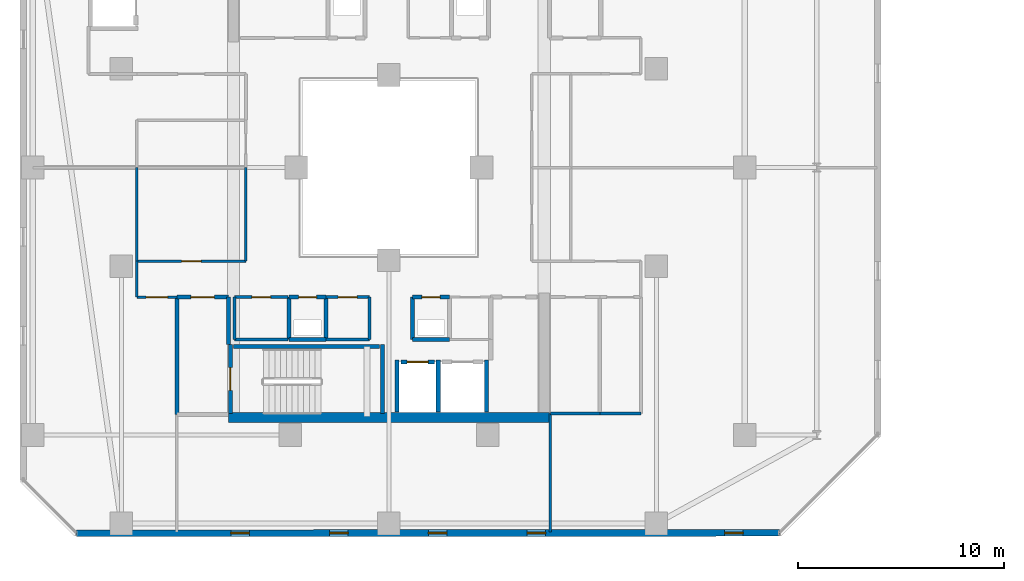
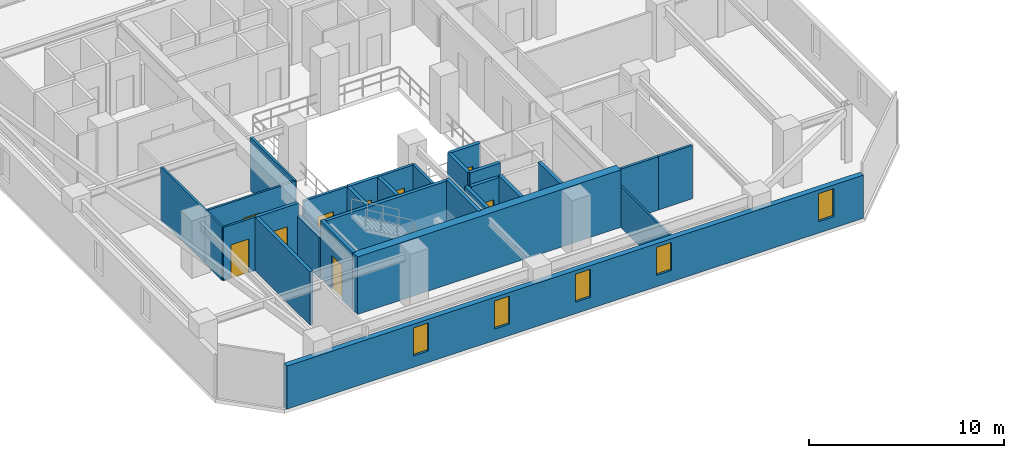
# One storey, part 19 of 33: 33 walls, 9 doors, 5 windows, 14 openings.
"""IFC4 building model written with IfcOpenShell, lengths in metres."""

import ifcopenshell
import ifcopenshell.guid

model = None  # the IFC model being written
_history = None  # IfcOwnerHistory: only IFC2X3 demands one
_inside = {}  # id of a spatial element -> (the spatial element, [elements in it])
_under = {}  # id of a project, library or spatial element -> (it, [spatial elements below it])
_declared = {}  # id of a project -> (the project, [libraries it declares])
_typed = {}  # id of a type object -> (the type object, [elements of that type])
_made_of = {}  # id of a material, layer set ... -> (it, [elements and type objects made of it])


def new_model(schema):
    """Start an empty IFC model of exactly this schema.

    Asked for "IFC4X3", IfcOpenShell would pick the latest addendum, in which some entities
    have other attributes; the version numbers below select the first issue.
    IFC2X3 requires an IfcOwnerHistory on every rooted entity: one is made here for all.
    """
    global model, _history
    if schema == "IFC4X3":
        model = ifcopenshell.file(schema_version=(4, 3, 0, 0))
    else:
        model = ifcopenshell.file(schema=schema)
    _inside.clear()
    _under.clear()
    _declared.clear()
    _typed.clear()
    _made_of.clear()
    _history = None
    if model.schema == "IFC2X3":
        org = make("IfcOrganization", Name="unknown")
        user = make(
            "IfcPersonAndOrganization",
            ThePerson=make("IfcPerson", FamilyName="unknown"),
            TheOrganization=org,
        )
        app = make(
            "IfcApplication",
            ApplicationDeveloper=org,
            Version="unknown",
            ApplicationFullName="unknown",
            ApplicationIdentifier="unknown",
        )
        _history = make(
            "IfcOwnerHistory",
            OwningUser=user,
            OwningApplication=app,
            ChangeAction="ADDED",
            CreationDate=0,
        )
    return model


def make(cls, **values):
    """One entity of the class cls with the attributes given. An attribute that is None is left unset."""
    return model.create_entity(
        cls, **{name: value for name, value in values.items() if value is not None}
    )


def rooted(cls, **values):
    """An entity with a GlobalId (a new one), such as an element, a storey or a relation."""
    return make(cls, GlobalId=ifcopenshell.guid.new(), OwnerHistory=_history, **values)


def si_unit(unit_type, name, prefix=None):
    """IfcSIUnit, for example si_unit("LENGTHUNIT", "METRE", prefix="MILLI")."""
    return make("IfcSIUnit", UnitType=unit_type, Prefix=prefix, Name=name)


def assignment(units):
    """IfcUnitAssignment: the units of a project."""
    return None if units is None else make("IfcUnitAssignment", Units=units)


def point(xyz):
    """IfcCartesianPoint."""
    return None if xyz is None else make("IfcCartesianPoint", Coordinates=xyz)


def direction(xyz):
    """IfcDirection."""
    return None if xyz is None else make("IfcDirection", DirectionRatios=xyz)


def frame(location, z_axis=None, x_axis=None):
    """IfcAxis2Placement3D, a coordinate frame: its origin and axes. An axis left out is left unset."""
    return make(
        "IfcAxis2Placement3D",
        Location=point(location),
        Axis=direction(z_axis),
        RefDirection=direction(x_axis),
    )


def frame_2d(location, x_axis=None):
    """IfcAxis2Placement2D, a coordinate frame in the plane: its origin and x axis."""
    return make(
        "IfcAxis2Placement2D", Location=point(location), RefDirection=direction(x_axis)
    )


def origin():
    """The frame at (0, 0, 0) with its axes left unset."""
    return frame((0.0, 0.0, 0.0))


def place(relative_to, where):
    """IfcLocalPlacement: puts the frame where relative to a parent placement (None: the world)."""
    return make(
        "IfcLocalPlacement", PlacementRelTo=relative_to, RelativePlacement=where
    )


def context(
    kind, dimensions, precision=None, world=None, true_north=None, identifier=None
):
    """IfcGeometricRepresentationContext, for example the 3D "Model" context."""
    return make(
        "IfcGeometricRepresentationContext",
        ContextIdentifier=identifier,
        ContextType=kind,
        CoordinateSpaceDimension=dimensions,
        Precision=precision,
        WorldCoordinateSystem=world,
        TrueNorth=true_north,
    )


def subcontext(parent, identifier, kind, view, scale=None):
    """IfcGeometricRepresentationSubContext, for example "Body" below "Model"."""
    return make(
        "IfcGeometricRepresentationSubContext",
        ContextIdentifier=identifier,
        ContextType=kind,
        ParentContext=parent,
        TargetScale=scale,
        TargetView=view,
    )


def project(units=None, contexts=None):
    """IfcProject with its units and contexts."""
    return rooted(
        "IfcProject",
        Name="project",
        RepresentationContexts=contexts,
        UnitsInContext=assignment(units),
    )


def spatial(cls, under=None, at=None, **own):
    """A site, building, storey or space (cls), placed at a placement, below another one or the project."""
    s = rooted(cls, ObjectPlacement=at, **own)
    if under is not None:
        _under.setdefault(under.id(), (under, []))[1].append(s)
    return s


def profile(cls, at=None, kind="AREA", **sizes):
    """A parametric profile (cls). Its sizes go by their IFC names, for example OverallWidth=200.0."""
    return make(cls, ProfileType=kind, Position=at, **sizes)


def rectangle(**sizes):
    """IfcRectangleProfileDef."""
    return profile("IfcRectangleProfileDef", **sizes)


def extrude(swept, where, along, depth):
    """IfcExtrudedAreaSolid: the profile swept, set in the frame where, extruded along a direction by depth."""
    return make(
        "IfcExtrudedAreaSolid",
        SweptArea=swept,
        Position=where,
        ExtrudedDirection=direction(along),
        Depth=depth,
    )


def shape(context_of_items, identifier, shape_type, items):
    """IfcShapeRepresentation: the items that make up one representation, for example the "Body"."""
    return make(
        "IfcShapeRepresentation",
        ContextOfItems=context_of_items,
        RepresentationIdentifier=identifier,
        RepresentationType=shape_type,
        Items=items,
    )


def material(Name=None, Category=None):
    """IfcMaterial."""
    return make("IfcMaterial", Name=Name, Category=Category)


def layer(
    of_material, thickness, ventilated=None, Name=None, Category=None, Priority=None
):
    """IfcMaterialLayer: one layer of a wall or slab, of a material (None: an air gap)."""
    return make(
        "IfcMaterialLayer",
        Material=of_material,
        LayerThickness=thickness,
        IsVentilated=ventilated,
        Name=Name,
        Category=Category,
        Priority=Priority,
    )


def layer_set(layers, Name=None):
    """IfcMaterialLayerSet."""
    return make("IfcMaterialLayerSet", MaterialLayers=layers, LayerSetName=Name)


def made_of(thing, what):
    """Note that an element or type object is made of a material, layer set ...; save() writes the relation."""
    if what is not None:
        _made_of.setdefault(what.id(), (what, []))[1].append(thing)
    return thing


def type_object(cls, material=None, **own):
    """A type object (cls), such as IfcWallType, which elements share."""
    return made_of(rooted(cls, **own), material)


def element(
    cls,
    number,
    at=None,
    inside=None,
    cuts=None,
    type_object=None,
    material=None,
    context=None,
    identifier="Body",
    shape_type=None,
    held_by="IfcProductDefinitionShape",
    body=None,
    shapes=None,
    **own,
):
    """One element of the class cls, such as IfcWall. Its Tag is "e" and its number.

    at: its placement. inside: the storey or other place that contains it. cuts: it is an
    opening in that element (IfcRelVoidsElement). A single representation is given by context,
    identifier, shape_type and body (its items); several are given by shapes. held_by: the class
    of the entity that holds the representations. save() writes the other relations.
    """
    e = rooted(cls, Tag="e%d" % number, ObjectPlacement=at, **own)
    if body is not None:
        shapes = [shape(context, identifier, shape_type, body)]
    if shapes is not None:
        e.Representation = make(held_by, Representations=shapes)
    if inside is not None:
        _inside.setdefault(inside.id(), (inside, []))[1].append(e)
    if cuts is not None:
        rooted(
            "IfcRelVoidsElement", RelatingBuildingElement=cuts, RelatedOpeningElement=e
        )
    if type_object is not None:
        _typed.setdefault(type_object.id(), (type_object, []))[1].append(e)
    return made_of(e, material)


def fill(opening, filler):
    """IfcRelFillsElement: the door or window that sits in an opening."""
    return rooted(
        "IfcRelFillsElement",
        RelatingOpeningElement=opening,
        RelatedBuildingElement=filler,
    )


def aggregate(whole, parts):
    """IfcRelAggregates: a whole, such as a stair, and the parts it consists of."""
    return rooted("IfcRelAggregates", RelatingObject=whole, RelatedObjects=parts)


def save(model, path):
    """Write the relations noted so far, then the file.

    IfcRelAggregates (storeys below a building ...), IfcRelContainedInSpatialStructure (elements
    in a storey), IfcRelDefinesByType, IfcRelAssociatesMaterial and IfcRelDeclares: one each for
    every whole, place, type object, material and project.
    """
    for whole, parts in _under.values():
        aggregate(whole, parts)
    for where, things in _inside.values():
        rooted(
            "IfcRelContainedInSpatialStructure",
            RelatedElements=things,
            RelatingStructure=where,
        )
    for kind, things in _typed.values():
        rooted("IfcRelDefinesByType", RelatedObjects=things, RelatingType=kind)
    for what, things in _made_of.values():
        rooted("IfcRelAssociatesMaterial", RelatedObjects=things, RelatingMaterial=what)
    for by, libraries in _declared.values():
        rooted("IfcRelDeclares", RelatingContext=by, RelatedDefinitions=libraries)
    model.write(path)


model = new_model("IFC4")

# Units and contexts
model_context = context("Model", 3, precision=1e-05, world=origin(), true_north=direction((0.0, 1.0)))
body_context = subcontext(model_context, "Body", "Model", "MODEL_VIEW")
ifc_project = project(units=[si_unit("LENGTHUNIT", "METRE"), si_unit("AREAUNIT", "SQUARE_METRE"), si_unit("VOLUMEUNIT", "CUBIC_METRE"), si_unit("PLANEANGLEUNIT", "RADIAN"), si_unit("MASSUNIT", "GRAM", prefix="KILO")], contexts=[model_context])

# Site, building, storey
site_placement = place(None, origin())
site = spatial("IfcSite", under=ifc_project, at=site_placement, CompositionType="ELEMENT")
building_placement = place(site_placement, origin())
building = spatial("IfcBuilding", under=site, at=building_placement, Name="Thornwick Lancets Civic Towers", CompositionType="ELEMENT")
storey_placement = place(building_placement, frame((0.0, 0.0, 192.89990234375)))
storey = spatial("IfcBuildingStorey", under=building, at=storey_placement, Name="L51", CompositionType="ELEMENT", Elevation=192.89990234375)

# Wall, opening, door
ifc_material_1 = material(Name="Concrete blockwork C40/50", Category="masonry")
ifc_layer_1 = layer(ifc_material_1, 0.199951171875, Name="Concrete blockwork C40/50")
ifc_layer_set_1 = layer_set([ifc_layer_1], Name="Concrete blockwork C40/50")
wall_type_1 = type_object("IfcWallType", Name="WALL_COMP_200", PredefinedType="STANDARD", material=ifc_layer_set_1)
wall_1_placement = place(storey_placement, frame((26.080078125, 17.550048828125, 0.0), z_axis=(0.0, 0.0, 1.0), x_axis=(1.0, 0.0, 0.0)))
wall_1 = element("IfcWall", 1, at=wall_1_placement, inside=storey, type_object=wall_type_1, Name="L51 Hoistway Front Wall FL-A1", PredefinedType="STANDARD", context=body_context, shape_type="SweptSolid", body=[
    extrude(rectangle(XDim=1.639892578125, YDim=0.199951171875, at=frame_2d((0.81982421875, 0.0))), origin(), (0.0, 0.0, 1.0), 3.340087890625),
])
opening_1_placement = place(wall_1_placement, frame((0.31005859375, 0.0, 0.0)))
opening_1 = element("IfcOpeningElement", 2, at=opening_1_placement, cuts=wall_1, Name="Opening LD-FL-A1", PredefinedType="OPENING", context=body_context, shape_type="SweptSolid", body=[
    extrude(rectangle(XDim=1.02001953125, YDim=2.06005859375, at=frame_2d((0.510009765625, 1.030029296875))), frame((0.0, 0.10986328125, 0.0), z_axis=(0.0, -1.0, 0.0), x_axis=(1.0, 0.0, 0.0)), (0.0, 0.0, 1.0), 0.219970703125),
])
ifc_material_2 = material(Name="Brushed bronze stainless steel", Category="steel")
door_type_1 = type_object("IfcDoorType", Name="DOOR_LIFT_SLIDE", OperationType="SLIDING_TO_LEFT", PredefinedType="DOOR", material=ifc_material_2)
door_1_placement = place(opening_1_placement, origin())
door_1 = element("IfcDoor", 3, at=door_1_placement, inside=storey, type_object=door_type_1, Name="L51 Sliding Lift Landing Door LD-FL-A1", OperationType="SLIDING_TO_LEFT", OverallHeight=2.06005859375, OverallWidth=1.02001953125, PredefinedType="DOOR", context=body_context, shape_type="SweptSolid", body=[
    extrude(rectangle(XDim=1.02001953125, YDim=2.06005859375, at=frame_2d((0.510009765625, 1.030029296875))), frame((0.0, 0.02490234375, 0.0), z_axis=(0.0, -1.0, 0.0), x_axis=(1.0, 0.0, 0.0)), (0.0, 0.0, 1.0), 0.050048828125),
])
fill(opening_1, door_1)

# Walls
for number, where, z_axis, x_axis, name in (
    (4, (27.89990234375, 15.112060546875, 0.0), (0.0, 0.0, 1.0), (0.0, 1.0, 0.0), "L51 Hoistway Shaft Wall FL-A1 E"),
    (5, (25.89990234375, 15.112060546875, 0.0), (0.0, 0.0, 1.0), (0.0, 1.0, 0.0), "L51 Hoistway Shaft Wall FL-A1 W"),
    (6, (30.25, 15.112060546875, 0.0), (0.0, 0.0, 1.0), (0.0, 1.0, 0.0), "L51 Hoistway Shaft Wall PL-AH1 E"),
):
    element("IfcWall", number, at=place(storey_placement, frame(where, z_axis=z_axis, x_axis=x_axis)), inside=storey, type_object=wall_type_1, Name=name, PredefinedType="STANDARD", context=body_context, shape_type="SweptSolid", body=[
        extrude(rectangle(XDim=2.535888671875, YDim=0.199951171875, at=frame_2d((1.26806640625, 0.0))), origin(), (0.0, 0.0, 1.0), 3.340087890625),
    ])
wall_2_placement = place(storey_placement, frame((17.699951171875, 18.39990234375, 0.0), z_axis=(0.0, 0.0, 1.0), x_axis=(0.0, 1.0, 0.0)))
element("IfcWall", 7, at=wall_2_placement, inside=storey, type_object=wall_type_1, Name="L51 Partition L51-A-FFLOB1 E2", PredefinedType="STANDARD", context=body_context, shape_type="SweptSolid", body=[
    extrude(rectangle(XDim=2.300048828125, YDim=0.199951171875, at=frame_2d((1.14990234375, 0.0))), origin(), (0.0, 0.0, 1.0), 2.545166015625),
])

# Wall, opening, door
wall_3_placement = place(storey_placement, frame((17.699951171875, 20.699951171875, 0.0), z_axis=(0.0, 0.0, 1.0), x_axis=(-1.0, 0.0, 0.0)))
wall_3 = element("IfcWall", 8, at=wall_3_placement, inside=storey, type_object=wall_type_1, Name="L51 Partition L51-A-FFLOB1 E3", PredefinedType="STANDARD", context=body_context, shape_type="SweptSolid", body=[
    extrude(rectangle(XDim=2.5, YDim=0.199951171875, at=frame_2d((1.25, 0.0))), origin(), (0.0, 0.0, 1.0), 3.340087890625),
])
opening_2_placement = place(wall_3_placement, frame((0.675048828125, 0.0, 0.0)))
opening_2 = element("IfcOpeningElement", 9, at=opening_2_placement, cuts=wall_3, Name="Opening D-L51-2251", PredefinedType="OPENING", context=body_context, shape_type="SweptSolid", body=[
    extrude(rectangle(XDim=1.14990234375, YDim=2.10009765625, at=frame_2d((0.574951171875, 1.050048828125))), frame((0.0, 0.10986328125, 0.0), z_axis=(0.0, -1.0, 0.0), x_axis=(1.0, 0.0, 0.0)), (0.0, 0.0, 1.0), 0.219970703125),
])
ifc_material_3 = material(Name="Glazed fire-resisting steel", Category="steel")
door_type_2 = type_object("IfcDoorType", Name="DOOR_LOBBY_FD60", OperationType="NOTDEFINED", PredefinedType="DOOR", material=ifc_material_3)
door_2_placement = place(opening_2_placement, origin())
door_2 = element("IfcDoor", 10, at=door_2_placement, inside=storey, type_object=door_type_2, Name="L51 South Firefighting Lobby 1 Door", OperationType="SINGLE_SWING_RIGHT", OverallHeight=2.10009765625, OverallWidth=1.14990234375, PredefinedType="DOOR", context=body_context, shape_type="SweptSolid", body=[
    extrude(rectangle(XDim=1.14990234375, YDim=2.10009765625, at=frame_2d((0.574951171875, 1.050048828125))), frame((0.0, 0.02490234375, 0.0), z_axis=(0.0, -1.0, 0.0), x_axis=(1.0, 0.0, 0.0)), (0.0, 0.0, 1.0), 0.050048828125),
])
fill(opening_2, door_2)

# Walls
wall_4_placement = place(storey_placement, frame((15.199951171875, 20.699951171875, 0.0), z_axis=(0.0, 0.0, 1.0), x_axis=(0.0, -1.0, 0.0)))
element("IfcWall", 11, at=wall_4_placement, inside=storey, type_object=wall_type_1, Name="L51 Partition L51-A-FFLOB1 E4", PredefinedType="STANDARD", context=body_context, shape_type="SweptSolid", body=[
    extrude(rectangle(XDim=5.699951171875, YDim=0.199951171875, at=frame_2d((2.85009765625, 0.0))), origin(), (0.0, 0.0, 1.0), 3.340087890625),
])
wall_5_placement = place(storey_placement, frame((26.64990234375, 18.64990234375, 0.0), z_axis=(0.0, 0.0, 1.0), x_axis=(1.0, 0.0, 0.0)))
element("IfcWall", 12, at=wall_5_placement, inside=storey, type_object=wall_type_1, Name="L51 Partition L51-A-DUCT1 E1", PredefinedType="STANDARD", context=body_context, shape_type="SweptSolid", body=[
    extrude(rectangle(XDim=1.800048828125, YDim=0.199951171875, at=frame_2d((0.89990234375, 0.0))), origin(), (0.0, 0.0, 1.0), 3.340087890625),
])

# Wall, opening, door
wall_6_placement = place(storey_placement, frame((28.449951171875, 20.699951171875, 0.0), z_axis=(0.0, 0.0, 1.0), x_axis=(-1.0, 0.0, 0.0)))
wall_6 = element("IfcWall", 13, at=wall_6_placement, inside=storey, type_object=wall_type_1, Name="L51 Partition L51-A-DUCT1 E3", PredefinedType="STANDARD", context=body_context, shape_type="SweptSolid", body=[
    extrude(rectangle(XDim=1.800048828125, YDim=0.199951171875, at=frame_2d((0.89990234375, 0.0))), origin(), (0.0, 0.0, 1.0), 3.340087890625),
])
opening_3_placement = place(wall_6_placement, frame((0.4599609375, 0.0, 0.0)))
opening_3 = element("IfcOpeningElement", 14, at=opening_3_placement, cuts=wall_6, Name="Opening D-L51-2253", PredefinedType="OPENING", context=body_context, shape_type="SweptSolid", body=[
    extrude(rectangle(XDim=0.8798828125, YDim=2.0400390625, at=frame_2d((0.43994140625, 1.02001953125))), frame((0.0, 0.10986328125, 0.0), z_axis=(0.0, -1.0, 0.0), x_axis=(1.0, 0.0, 0.0)), (0.0, 0.0, 1.0), 0.219970703125),
])
ifc_material_4 = material(Name="Steel riser access doorset", Category="steel")
door_type_3 = type_object("IfcDoorType", Name="DOOR_RISER_850", OperationType="NOTDEFINED", PredefinedType="DOOR", material=ifc_material_4)
door_3_placement = place(opening_3_placement, origin())
door_3 = element("IfcDoor", 15, at=door_3_placement, inside=storey, type_object=door_type_3, Name="L51 South Service Duct 1 Door", OperationType="SINGLE_SWING_RIGHT", OverallHeight=2.0400390625, OverallWidth=0.8798828125, PredefinedType="DOOR", context=body_context, shape_type="SweptSolid", body=[
    extrude(rectangle(XDim=0.8798828125, YDim=2.0400390625, at=frame_2d((0.43994140625, 1.02001953125))), frame((0.0, 0.02490234375, 0.0), z_axis=(0.0, -1.0, 0.0), x_axis=(1.0, 0.0, 0.0)), (0.0, 0.0, 1.0), 0.050048828125),
])
fill(opening_3, door_3)

# Walls
wall_7_placement = place(storey_placement, frame((26.64990234375, 20.699951171875, 0.0), z_axis=(0.0, 0.0, 1.0), x_axis=(0.0, -1.0, 0.0)))
element("IfcWall", 16, at=wall_7_placement, inside=storey, type_object=wall_type_1, Name="L51 Partition L51-A-DUCT1 E4", PredefinedType="STANDARD", context=body_context, shape_type="SweptSolid", body=[
    extrude(rectangle(XDim=2.050048828125, YDim=0.199951171875, at=frame_2d((1.02490234375, 0.0))), origin(), (0.0, 0.0, 1.0), 3.340087890625),
])
wall_8_placement = place(storey_placement, frame((20.64990234375, 18.64990234375, 0.0), z_axis=(0.0, 0.0, 1.0), x_axis=(1.0, 0.0, 0.0)))
element("IfcWall", 17, at=wall_8_placement, inside=storey, type_object=wall_type_1, Name="L51 Partition L51-A-RISER1 E1", PredefinedType="STANDARD", context=body_context, shape_type="SweptSolid", body=[
    extrude(rectangle(XDim=1.800048828125, YDim=0.199951171875, at=frame_2d((0.89990234375, 0.0))), origin(), (0.0, 0.0, 1.0), 3.340087890625),
])
wall_9_placement = place(storey_placement, frame((22.449951171875, 18.64990234375, 0.0), z_axis=(0.0, 0.0, 1.0), x_axis=(0.0, 1.0, 0.0)))
element("IfcWall", 18, at=wall_9_placement, inside=storey, type_object=wall_type_1, Name="L51 Partition L51-A-RISER1 E2", PredefinedType="STANDARD", context=body_context, shape_type="SweptSolid", body=[
    extrude(rectangle(XDim=2.050048828125, YDim=0.199951171875, at=frame_2d((1.02490234375, 0.0))), origin(), (0.0, 0.0, 1.0), 3.340087890625),
])

# Wall, opening, door
wall_10_placement = place(storey_placement, frame((22.449951171875, 20.699951171875, 0.0), z_axis=(0.0, 0.0, 1.0), x_axis=(-1.0, 0.0, 0.0)))
wall_10 = element("IfcWall", 19, at=wall_10_placement, inside=storey, type_object=wall_type_1, Name="L51 Partition L51-A-RISER1 E3", PredefinedType="STANDARD", context=body_context, shape_type="SweptSolid", body=[
    extrude(rectangle(XDim=1.800048828125, YDim=0.199951171875, at=frame_2d((0.89990234375, 0.0))), origin(), (0.0, 0.0, 1.0), 3.340087890625),
])
opening_4_placement = place(wall_10_placement, frame((0.4599609375, 0.0, 0.0)))
opening_4 = element("IfcOpeningElement", 20, at=opening_4_placement, cuts=wall_10, Name="Opening D-L51-2254", PredefinedType="OPENING", context=body_context, shape_type="SweptSolid", body=[
    extrude(rectangle(XDim=0.8798828125, YDim=2.0400390625, at=frame_2d((0.43994140625, 1.02001953125))), frame((0.0, 0.10986328125, 0.0), z_axis=(0.0, -1.0, 0.0), x_axis=(1.0, 0.0, 0.0)), (0.0, 0.0, 1.0), 0.219970703125),
])
door_4_placement = place(opening_4_placement, origin())
door_4 = element("IfcDoor", 21, at=door_4_placement, inside=storey, type_object=door_type_3, Name="L51 South Electrical Riser 1 Door", OperationType="SINGLE_SWING_LEFT", OverallHeight=2.0400390625, OverallWidth=0.8798828125, PredefinedType="DOOR", context=body_context, shape_type="SweptSolid", body=[
    extrude(rectangle(XDim=0.8798828125, YDim=2.0400390625, at=frame_2d((0.43994140625, 1.02001953125))), frame((0.0, 0.02490234375, 0.0), z_axis=(0.0, -1.0, 0.0), x_axis=(1.0, 0.0, 0.0)), (0.0, 0.0, 1.0), 0.050048828125),
])
fill(opening_4, door_4)

# Walls
wall_11_placement = place(storey_placement, frame((20.64990234375, 20.699951171875, 0.0), z_axis=(0.0, 0.0, 1.0), x_axis=(0.0, -1.0, 0.0)))
element("IfcWall", 22, at=wall_11_placement, inside=storey, type_object=wall_type_1, Name="L51 Partition L51-A-RISER1 E4", PredefinedType="STANDARD", context=body_context, shape_type="SweptSolid", body=[
    extrude(rectangle(XDim=2.050048828125, YDim=0.199951171875, at=frame_2d((1.02490234375, 0.0))), origin(), (0.0, 0.0, 1.0), 3.340087890625),
])
ifc_material_5 = material(Name="Concrete C50/60", Category="concrete")
ifc_layer_2 = layer(ifc_material_5, 0.5, Name="Concrete C50/60")
ifc_layer_set_2 = layer_set([ifc_layer_2], Name="Concrete C50/60")
wall_type_2 = type_object("IfcWallType", Name="WALL_CORE_500", PredefinedType="SHEAR", material=ifc_layer_set_2)
wall_12_placement = place(storey_placement, frame((17.699951171875, 14.85009765625, 0.0), z_axis=(0.0, 0.0, 1.0), x_axis=(1.0, 0.0, 0.0)))
element("IfcWall", 23, at=wall_12_placement, inside=storey, type_object=wall_type_2, Name="L51 Split Core A1 Shear Wall S", PredefinedType="SHEAR", context=body_context, shape_type="SweptSolid", body=[
    extrude(rectangle(XDim=15.60009765625, YDim=0.5, at=frame_2d((7.800048828125, 0.0))), origin(), (0.0, 0.0, 1.0), 3.60009765625),
])

# Wall, openings, windows
ifc_material_6 = material(Name="Insulated buff terracotta rainscreen on concrete C40/50", Category="masonry")
ifc_layer_3 = layer(ifc_material_6, 0.320068359375, Name="Insulated buff terracotta rainscreen on concrete C40/50")
ifc_layer_set_3 = layer_set([ifc_layer_3], Name="Insulated buff terracotta rainscreen on concrete C40/50")
wall_type_3 = type_object("IfcWallType", Name="WALL_EXT_TERRA_320", PredefinedType="STANDARD", material=ifc_layer_set_3)
wall_13_placement = place(storey_placement, frame((10.318603515625, 9.2353515625, 0.0), z_axis=(0.0, 0.0, 1.0), x_axis=(0.99999997701, 0.000214431216, 0.0)))
wall_13 = element("IfcWall", 24, at=wall_13_placement, inside=storey, type_object=wall_type_3, Name="L51 Tower A Terracotta Facade Wall E0", PredefinedType="STANDARD", context=body_context, shape_type="SweptSolid", body=[
    extrude(rectangle(XDim=34.156494140625, YDim=0.320068359375, at=frame_2d((17.078125, 0.0))), origin(), (0.0, 0.0, 1.0), 2.7001953125),
])
opening_5_placement = place(wall_13_placement, frame((7.5, 0.0, 0.719970703125)))
opening_5 = element("IfcOpeningElement", 25, at=opening_5_placement, cuts=wall_13, Name="Opening WL-01", PredefinedType="OPENING", context=body_context, shape_type="SweptSolid", body=[
    extrude(rectangle(XDim=0.89990234375, YDim=1.75, at=frame_2d((0.449951171875, 0.875))), frame((0.0, 0.169921875, 0.0), z_axis=(0.0, -1.0, 0.0), x_axis=(1.0, 0.0, 0.0)), (0.0, 0.0, 1.0), 0.340087890625),
])
opening_6_placement = place(wall_13_placement, frame((12.300048828125, 0.0, 0.719970703125)))
opening_6 = element("IfcOpeningElement", 26, at=opening_6_placement, cuts=wall_13, Name="Opening WL-01", PredefinedType="OPENING", context=body_context, shape_type="SweptSolid", body=[
    extrude(rectangle(XDim=0.89990234375, YDim=1.75, at=frame_2d((0.449951171875, 0.875))), frame((0.0, 0.169921875, 0.0), z_axis=(0.0, -1.0, 0.0), x_axis=(1.0, 0.0, 0.0)), (0.0, 0.0, 1.0), 0.340087890625),
])
opening_7_placement = place(wall_13_placement, frame((17.10009765625, 0.0, 0.719970703125)))
opening_7 = element("IfcOpeningElement", 27, at=opening_7_placement, cuts=wall_13, Name="Opening WL-01", PredefinedType="OPENING", context=body_context, shape_type="SweptSolid", body=[
    extrude(rectangle(XDim=0.89990234375, YDim=1.75, at=frame_2d((0.449951171875, 0.875))), frame((0.0, 0.169921875, 0.0), z_axis=(0.0, -1.0, 0.0), x_axis=(1.0, 0.0, 0.0)), (0.0, 0.0, 1.0), 0.340087890625),
])
opening_8_placement = place(wall_13_placement, frame((21.89990234375, 0.0, 0.719970703125)))
opening_8 = element("IfcOpeningElement", 28, at=opening_8_placement, cuts=wall_13, Name="Opening WL-01", PredefinedType="OPENING", context=body_context, shape_type="SweptSolid", body=[
    extrude(rectangle(XDim=0.89990234375, YDim=1.75, at=frame_2d((0.449951171875, 0.875))), frame((0.0, 0.169921875, 0.0), z_axis=(0.0, -1.0, 0.0), x_axis=(1.0, 0.0, 0.0)), (0.0, 0.0, 1.0), 0.340087890625),
])
opening_9_placement = place(wall_13_placement, frame((31.5, 0.0, 0.719970703125)))
opening_9 = element("IfcOpeningElement", 29, at=opening_9_placement, cuts=wall_13, Name="Opening WL-01", PredefinedType="OPENING", context=body_context, shape_type="SweptSolid", body=[
    extrude(rectangle(XDim=0.89990234375, YDim=1.75, at=frame_2d((0.449951171875, 0.875))), frame((0.0, 0.169921875, 0.0), z_axis=(0.0, -1.0, 0.0), x_axis=(1.0, 0.0, 0.0)), (0.0, 0.0, 1.0), 0.340087890625),
])
ifc_material_7 = material(Name="Clear low-e double glazing in bronze frame", Category="glass")
window_type = type_object("IfcWindowType", Name="WIN_LANCET_900", PartitioningType="SINGLE_PANEL", PredefinedType="WINDOW", material=ifc_material_7)
window_1_placement = place(opening_5_placement, origin())
window_1 = element("IfcWindow", 30, at=window_1_placement, inside=storey, type_object=window_type, Name="L51 Tower A Staggered Lancet Window E0-1", OverallHeight=1.75, OverallWidth=0.89990234375, PartitioningType="SINGLE_PANEL", PredefinedType="WINDOW", context=body_context, shape_type="SweptSolid", body=[
    extrude(rectangle(XDim=0.89990234375, YDim=1.75, at=frame_2d((0.449951171875, 0.875))), frame((0.0, 0.030029296875, 0.0), z_axis=(0.0, -1.0, 0.0), x_axis=(1.0, 0.0, 0.0)), (0.0, 0.0, 1.0), 0.06005859375),
])
fill(opening_5, window_1)
window_2_placement = place(opening_6_placement, origin())
window_2 = element("IfcWindow", 31, at=window_2_placement, inside=storey, type_object=window_type, Name="L51 Tower A Staggered Lancet Window E0-2", OverallHeight=1.75, OverallWidth=0.89990234375, PartitioningType="SINGLE_PANEL", PredefinedType="WINDOW", context=body_context, shape_type="SweptSolid", body=[
    extrude(rectangle(XDim=0.89990234375, YDim=1.75, at=frame_2d((0.449951171875, 0.875))), frame((0.0, 0.030029296875, 0.0), z_axis=(0.0, -1.0, 0.0), x_axis=(1.0, 0.0, 0.0)), (0.0, 0.0, 1.0), 0.06005859375),
])
fill(opening_6, window_2)
window_3_placement = place(opening_7_placement, origin())
window_3 = element("IfcWindow", 32, at=window_3_placement, inside=storey, type_object=window_type, Name="L51 Tower A Staggered Lancet Window E0-3", OverallHeight=1.75, OverallWidth=0.89990234375, PartitioningType="SINGLE_PANEL", PredefinedType="WINDOW", context=body_context, shape_type="SweptSolid", body=[
    extrude(rectangle(XDim=0.89990234375, YDim=1.75, at=frame_2d((0.449951171875, 0.875))), frame((0.0, 0.030029296875, 0.0), z_axis=(0.0, -1.0, 0.0), x_axis=(1.0, 0.0, 0.0)), (0.0, 0.0, 1.0), 0.06005859375),
])
fill(opening_7, window_3)
window_4_placement = place(opening_8_placement, origin())
window_4 = element("IfcWindow", 33, at=window_4_placement, inside=storey, type_object=window_type, Name="L51 Tower A Staggered Lancet Window E0-4", OverallHeight=1.75, OverallWidth=0.89990234375, PartitioningType="SINGLE_PANEL", PredefinedType="WINDOW", context=body_context, shape_type="SweptSolid", body=[
    extrude(rectangle(XDim=0.89990234375, YDim=1.75, at=frame_2d((0.449951171875, 0.875))), frame((0.0, 0.030029296875, 0.0), z_axis=(0.0, -1.0, 0.0), x_axis=(1.0, 0.0, 0.0)), (0.0, 0.0, 1.0), 0.06005859375),
])
fill(opening_8, window_4)
window_5_placement = place(opening_9_placement, origin())
window_5 = element("IfcWindow", 34, at=window_5_placement, inside=storey, type_object=window_type, Name="L51 Tower A Staggered Lancet Window E0-5", OverallHeight=1.75, OverallWidth=0.89990234375, PartitioningType="SINGLE_PANEL", PredefinedType="WINDOW", context=body_context, shape_type="SweptSolid", body=[
    extrude(rectangle(XDim=0.89990234375, YDim=1.75, at=frame_2d((0.449951171875, 0.875))), frame((0.0, 0.030029296875, 0.0), z_axis=(0.0, -1.0, 0.0), x_axis=(1.0, 0.0, 0.0)), (0.0, 0.0, 1.0), 0.06005859375),
])
fill(opening_9, window_5)

# Walls
ifc_material_8 = material(Name="Acoustic gypsum board partition")
ifc_layer_4 = layer(ifc_material_8, 0.1201171875, Name="Acoustic gypsum board partition")
ifc_layer_set_4 = layer_set([ifc_layer_4], Name="Acoustic gypsum board partition")
wall_type_4 = type_object("IfcWallType", Name="WALL_PART_120", PredefinedType="PARTITIONING", material=ifc_layer_set_4)
wall_14_placement = place(storey_placement, frame((13.25, 27.0, 0.0), z_axis=(0.0, 0.0, 1.0), x_axis=(0.0, -1.0, 0.0)))
element("IfcWall", 35, at=wall_14_placement, inside=storey, type_object=wall_type_4, Name="L51 Partition L51-A-W1 E9", PredefinedType="PARTITIONING", context=body_context, shape_type="SweptSolid", body=[
    extrude(rectangle(XDim=4.550048828125, YDim=0.1201171875, at=frame_2d((2.27490234375, 0.0))), origin(), (0.0, 0.0, 1.0), 3.340087890625),
])
wall_15_placement = place(storey_placement, frame((13.25, 22.449951171875, 0.0), z_axis=(0.0, 0.0, 1.0), x_axis=(0.0, -1.0, 0.0)))
element("IfcWall", 36, at=wall_15_placement, inside=storey, type_object=wall_type_4, Name="L51 Partition L51-A-W1 E10", PredefinedType="PARTITIONING", context=body_context, shape_type="SweptSolid", body=[
    extrude(rectangle(XDim=1.75, YDim=0.1201171875, at=frame_2d((0.875, 0.0))), origin(), (0.0, 0.0, 1.0), 3.340087890625),
])

# Wall, opening, door
wall_16_placement = place(storey_placement, frame((13.25, 20.699951171875, 0.0), z_axis=(0.0, 0.0, 1.0), x_axis=(1.0, 0.0, 0.0)))
wall_16 = element("IfcWall", 37, at=wall_16_placement, inside=storey, type_object=wall_type_4, Name="L51 Partition L51-A-W1 E11", PredefinedType="PARTITIONING", context=body_context, shape_type="SweptSolid", body=[
    extrude(rectangle(XDim=1.949951171875, YDim=0.1201171875, at=frame_2d((0.97509765625, 0.0))), origin(), (0.0, 0.0, 1.0), 3.340087890625),
])
opening_10_placement = place(wall_16_placement, frame((0.449951171875, 0.0, 0.0)))
opening_10 = element("IfcOpeningElement", 38, at=opening_10_placement, cuts=wall_16, Name="Opening D-L51-2277", PredefinedType="OPENING", context=body_context, shape_type="SweptSolid", body=[
    extrude(rectangle(XDim=1.050048828125, YDim=2.10009765625, at=frame_2d((0.52490234375, 1.050048828125))), frame((0.0, 0.070068359375, 0.0), z_axis=(0.0, -1.0, 0.0), x_axis=(1.0, 0.0, 0.0)), (0.0, 0.0, 1.0), 0.14013671875),
])
ifc_material_9 = material(Name="Glazed European oak executive doorset")
door_type_4 = type_object("IfcDoorType", Name="DOOR_OFFICE_1050", OperationType="NOTDEFINED", PredefinedType="DOOR", material=ifc_material_9)
door_5_placement = place(opening_10_placement, origin())
door_5 = element("IfcDoor", 39, at=door_5_placement, inside=storey, type_object=door_type_4, Name="L51 Tower A Ministry Directorate Office W1 Door", OperationType="SINGLE_SWING_RIGHT", OverallHeight=2.10009765625, OverallWidth=1.050048828125, PredefinedType="DOOR", context=body_context, shape_type="SweptSolid", body=[
    extrude(rectangle(XDim=1.050048828125, YDim=2.10009765625, at=frame_2d((0.52490234375, 1.050048828125))), frame((0.0, 0.02490234375, 0.0), z_axis=(0.0, -1.0, 0.0), x_axis=(1.0, 0.0, 0.0)), (0.0, 0.0, 1.0), 0.050048828125),
])
fill(opening_10, door_5)

# Wall
wall_17_placement = place(storey_placement, frame((18.550048828125, 27.0, 0.0), z_axis=(0.0, 0.0, 1.0), x_axis=(0.0, -1.0, 0.0)))
element("IfcWall", 40, at=wall_17_placement, inside=storey, type_object=wall_type_4, Name="L51 Partition L51-A-W2 E3", PredefinedType="PARTITIONING", context=body_context, shape_type="SweptSolid", body=[
    extrude(rectangle(XDim=4.550048828125, YDim=0.1201171875, at=frame_2d((2.27490234375, 0.0))), origin(), (0.0, 0.0, 1.0), 3.340087890625),
])

# Wall, opening, door
wall_18_placement = place(storey_placement, frame((18.550048828125, 22.449951171875, 0.0), z_axis=(0.0, 0.0, 1.0), x_axis=(-1.0, 0.0, 0.0)))
wall_18 = element("IfcWall", 41, at=wall_18_placement, inside=storey, type_object=wall_type_4, Name="L51 Partition L51-A-W2 E4", PredefinedType="PARTITIONING", context=body_context, shape_type="SweptSolid", body=[
    extrude(rectangle(XDim=5.300048828125, YDim=0.1201171875, at=frame_2d((2.64990234375, 0.0))), origin(), (0.0, 0.0, 1.0), 3.340087890625),
])
opening_11_placement = place(wall_18_placement, frame((2.175048828125, 0.0, 0.0)))
opening_11 = element("IfcOpeningElement", 42, at=opening_11_placement, cuts=wall_18, Name="Opening D-L51-2278", PredefinedType="OPENING", context=body_context, shape_type="SweptSolid", body=[
    extrude(rectangle(XDim=0.949951171875, YDim=2.10009765625, at=frame_2d((0.47509765625, 1.050048828125))), frame((0.0, 0.070068359375, 0.0), z_axis=(0.0, -1.0, 0.0), x_axis=(1.0, 0.0, 0.0)), (0.0, 0.0, 1.0), 0.14013671875),
])
ifc_material_10 = material(Name="European oak acoustic doorset")
door_type_5 = type_object("IfcDoorType", Name="DOOR_OFFICE_950", OperationType="NOTDEFINED", PredefinedType="DOOR", material=ifc_material_10)
door_6_placement = place(opening_11_placement, origin())
door_6 = element("IfcDoor", 43, at=door_6_placement, inside=storey, type_object=door_type_5, Name="L51 Tower A Statutory Research Suite Door", OperationType="SINGLE_SWING_LEFT", OverallHeight=2.10009765625, OverallWidth=0.949951171875, PredefinedType="DOOR", context=body_context, shape_type="SweptSolid", body=[
    extrude(rectangle(XDim=0.949951171875, YDim=2.10009765625, at=frame_2d((0.47509765625, 1.050048828125))), frame((0.0, 0.02490234375, 0.0), z_axis=(0.0, -1.0, 0.0), x_axis=(1.0, 0.0, 0.0)), (0.0, 0.0, 1.0), 0.050048828125),
])
fill(opening_11, door_6)

# Walls
wall_19_placement = place(storey_placement, frame((33.35009765625, 9.280029296875, 0.0), z_axis=(0.0, 0.0, 1.0), x_axis=(0.0, 1.0, 0.0)))
element("IfcWall", 44, at=wall_19_placement, inside=storey, type_object=wall_type_4, Name="L51 Partition L51-A-E2 E11", PredefinedType="PARTITIONING", context=body_context, shape_type="SweptSolid", body=[
    extrude(rectangle(XDim=5.77001953125, YDim=0.1201171875, at=frame_2d((2.885009765625, 0.0))), origin(), (0.0, 0.0, 1.0), 2.545166015625),
])
ifc_material_11 = material(Name="Twin-stud acoustic gypsum board")
ifc_layer_5 = layer(ifc_material_11, 0.14990234375, Name="Twin-stud acoustic gypsum board")
ifc_layer_set_5 = layer_set([ifc_layer_5], Name="Twin-stud acoustic gypsum board")
wall_type_5 = type_object("IfcWallType", Name="WALL_PART_150", PredefinedType="PARTITIONING", material=ifc_layer_set_5)
wall_20_placement = place(storey_placement, frame((18.0, 18.64990234375, 0.0), z_axis=(0.0, 0.0, 1.0), x_axis=(1.0, 0.0, 0.0)))
element("IfcWall", 45, at=wall_20_placement, inside=storey, type_object=wall_type_5, Name="L51 Partition L51-A-MWC E1", PredefinedType="PARTITIONING", context=body_context, shape_type="SweptSolid", body=[
    extrude(rectangle(XDim=2.60009765625, YDim=0.14990234375, at=frame_2d((1.300048828125, 0.0))), origin(), (0.0, 0.0, 1.0), 3.340087890625),
])

# Wall, opening, door
wall_21_placement = place(storey_placement, frame((20.60009765625, 20.699951171875, 0.0), z_axis=(0.0, 0.0, 1.0), x_axis=(-1.0, 0.0, 0.0)))
wall_21 = element("IfcWall", 46, at=wall_21_placement, inside=storey, type_object=wall_type_5, Name="L51 Partition L51-A-MWC E3", PredefinedType="PARTITIONING", context=body_context, shape_type="SweptSolid", body=[
    extrude(rectangle(XDim=2.60009765625, YDim=0.14990234375, at=frame_2d((1.300048828125, 0.0))), origin(), (0.0, 0.0, 1.0), 3.340087890625),
])
opening_12_placement = place(wall_21_placement, frame((0.840087890625, 0.0, 0.0)))
opening_12 = element("IfcOpeningElement", 47, at=opening_12_placement, cuts=wall_21, Name="Opening D-L51-2257", PredefinedType="OPENING", context=body_context, shape_type="SweptSolid", body=[
    extrude(rectangle(XDim=0.919921875, YDim=2.080078125, at=frame_2d((0.4599609375, 1.0400390625))), frame((0.0, 0.0849609375, 0.0), z_axis=(0.0, -1.0, 0.0), x_axis=(1.0, 0.0, 0.0)), (0.0, 0.0, 1.0), 0.169921875),
])
ifc_material_12 = material(Name="Moisture-resistant oak doorset")
door_type_6 = type_object("IfcDoorType", Name="DOOR_WC_900", OperationType="NOTDEFINED", PredefinedType="DOOR", material=ifc_material_12)
door_7_placement = place(opening_12_placement, origin())
door_7 = element("IfcDoor", 48, at=door_7_placement, inside=storey, type_object=door_type_6, Name="L51 Tower A Male WC Door", OperationType="SINGLE_SWING_RIGHT", OverallHeight=2.080078125, OverallWidth=0.919921875, PredefinedType="DOOR", context=body_context, shape_type="SweptSolid", body=[
    extrude(rectangle(XDim=0.919921875, YDim=2.080078125, at=frame_2d((0.4599609375, 1.0400390625))), frame((0.0, 0.02490234375, 0.0), z_axis=(0.0, -1.0, 0.0), x_axis=(1.0, 0.0, 0.0)), (0.0, 0.0, 1.0), 0.050048828125),
])
fill(opening_12, door_7)

# Walls
wall_22_placement = place(storey_placement, frame((18.0, 20.699951171875, 0.0), z_axis=(0.0, 0.0, 1.0), x_axis=(0.0, -1.0, 0.0)))
element("IfcWall", 49, at=wall_22_placement, inside=storey, type_object=wall_type_5, Name="L51 Partition L51-A-MWC E4", PredefinedType="PARTITIONING", context=body_context, shape_type="SweptSolid", body=[
    extrude(rectangle(XDim=2.050048828125, YDim=0.14990234375, at=frame_2d((1.02490234375, 0.0))), origin(), (0.0, 0.0, 1.0), 2.545166015625),
])
wall_23_placement = place(storey_placement, frame((24.550048828125, 20.699951171875, 0.0), z_axis=(0.0, 0.0, 1.0), x_axis=(0.0, -1.0, 0.0)))
element("IfcWall", 50, at=wall_23_placement, inside=storey, type_object=wall_type_5, Name="L51 Partition L51-A-AWC E1", PredefinedType="PARTITIONING", context=body_context, shape_type="SweptSolid", body=[
    extrude(rectangle(XDim=2.050048828125, YDim=0.14990234375, at=frame_2d((1.02490234375, 0.0))), origin(), (0.0, 0.0, 1.0), 3.340087890625),
])
wall_24_placement = place(storey_placement, frame((24.550048828125, 18.64990234375, 0.0), z_axis=(0.0, 0.0, 1.0), x_axis=(-1.0, 0.0, 0.0)))
element("IfcWall", 51, at=wall_24_placement, inside=storey, type_object=wall_type_5, Name="L51 Partition L51-A-AWC E2", PredefinedType="PARTITIONING", context=body_context, shape_type="SweptSolid", body=[
    extrude(rectangle(XDim=2.10009765625, YDim=0.14990234375, at=frame_2d((1.050048828125, 0.0))), origin(), (0.0, 0.0, 1.0), 3.340087890625),
])

# Wall, opening, door
wall_25_placement = place(storey_placement, frame((22.449951171875, 20.699951171875, 0.0), z_axis=(0.0, 0.0, 1.0), x_axis=(1.0, 0.0, 0.0)))
wall_25 = element("IfcWall", 52, at=wall_25_placement, inside=storey, type_object=wall_type_5, Name="L51 Partition L51-A-AWC E4", PredefinedType="PARTITIONING", context=body_context, shape_type="SweptSolid", body=[
    extrude(rectangle(XDim=2.10009765625, YDim=0.14990234375, at=frame_2d((1.050048828125, 0.0))), origin(), (0.0, 0.0, 1.0), 3.340087890625),
])
opening_13_placement = place(wall_25_placement, frame((0.590087890625, 0.0, 0.0)))
opening_13 = element("IfcOpeningElement", 53, at=opening_13_placement, cuts=wall_25, Name="Opening D-L51-2258", PredefinedType="OPENING", context=body_context, shape_type="SweptSolid", body=[
    extrude(rectangle(XDim=0.919921875, YDim=2.080078125, at=frame_2d((0.4599609375, 1.0400390625))), frame((0.0, 0.0849609375, 0.0), z_axis=(0.0, -1.0, 0.0), x_axis=(1.0, 0.0, 0.0)), (0.0, 0.0, 1.0), 0.169921875),
])
door_8_placement = place(opening_13_placement, origin())
door_8 = element("IfcDoor", 54, at=door_8_placement, inside=storey, type_object=door_type_6, Name="L51 Tower A Accessible WC Door", OperationType="SINGLE_SWING_LEFT", OverallHeight=2.080078125, OverallWidth=0.919921875, PredefinedType="DOOR", context=body_context, shape_type="SweptSolid", body=[
    extrude(rectangle(XDim=0.919921875, YDim=2.080078125, at=frame_2d((0.4599609375, 1.0400390625))), frame((0.0, 0.02490234375, 0.0), z_axis=(0.0, -1.0, 0.0), x_axis=(1.0, 0.0, 0.0)), (0.0, 0.0, 1.0), 0.050048828125),
])
fill(opening_13, door_8)

# Walls
wall_26_placement = place(storey_placement, frame((35.75, 15.050048828125, 0.0), z_axis=(0.0, 0.0, 1.0), x_axis=(-1.0, 0.0, 0.0)))
element("IfcWall", 55, at=wall_26_placement, inside=storey, type_object=wall_type_5, Name="L51 Partition L51-A-RECLAIM-L1 E1", PredefinedType="PARTITIONING", context=body_context, shape_type="SweptSolid", body=[
    extrude(rectangle(XDim=2.39990234375, YDim=0.14990234375, at=frame_2d((1.199951171875, 0.0))), origin(), (0.0, 0.0, 1.0), 3.340087890625),
])
wall_27_placement = place(storey_placement, frame((37.75, 15.050048828125, 0.0), z_axis=(0.0, 0.0, 1.0), x_axis=(-1.0, 0.0, 0.0)))
element("IfcWall", 56, at=wall_27_placement, inside=storey, type_object=wall_type_5, Name="L51 Partition L51-A-RECLAIM-L2 E1", PredefinedType="PARTITIONING", context=body_context, shape_type="SweptSolid", body=[
    extrude(rectangle(XDim=2.0, YDim=0.14990234375, at=frame_2d((1.0, 0.0))), origin(), (0.0, 0.0, 1.0), 3.340087890625),
])

# Wall, opening, door
ifc_material_13 = material(Name="Concrete C40/50", Category="concrete")
ifc_layer_6 = layer(ifc_material_13, 0.199951171875, Name="Concrete C40/50")
ifc_layer_set_6 = layer_set([ifc_layer_6], Name="Concrete C40/50")
wall_type_6 = type_object("IfcWallType", Name="WALL_SHAFT_200", PredefinedType="SHEAR", material=ifc_layer_set_6)
wall_28_placement = place(storey_placement, frame((17.800048828125, 15.050048828125, 0.0), z_axis=(0.0, 0.0, 1.0), x_axis=(0.0, 1.0, 0.0)))
wall_28 = element("IfcWall", 57, at=wall_28_placement, inside=storey, type_object=wall_type_6, Name="L51 ST-A1 Fire Stair Core Wall NEAR", PredefinedType="SHEAR", context=body_context, shape_type="SweptSolid", body=[
    extrude(rectangle(XDim=3.349853515625, YDim=0.199951171875, at=frame_2d((1.6748046875, 0.0))), origin(), (0.0, 0.0, 1.0), 3.60009765625),
])
opening_14_placement = place(wall_28_placement, frame((1.125, 0.0, 0.0)))
opening_14 = element("IfcOpeningElement", 58, at=opening_14_placement, cuts=wall_28, Name="Opening D-ST-A1-L51", PredefinedType="OPENING", context=body_context, shape_type="SweptSolid", body=[
    extrude(rectangle(XDim=1.10009765625, YDim=2.10009765625, at=frame_2d((0.550048828125, 1.050048828125))), frame((0.0, 0.10986328125, 0.0), z_axis=(0.0, -1.0, 0.0), x_axis=(1.0, 0.0, 0.0)), (0.0, 0.0, 1.0), 0.219970703125),
])
ifc_material_14 = material(Name="Fire-resisting steel and hardwood", Category="steel")
door_type_7 = type_object("IfcDoorType", Name="DOOR_STAIR_FD60", OperationType="NOTDEFINED", PredefinedType="DOOR", material=ifc_material_14)
door_9_placement = place(opening_14_placement, origin())
door_9 = element("IfcDoor", 59, at=door_9_placement, inside=storey, type_object=door_type_7, Name="L51 ST-A1 Exit Stair Door", OperationType="SINGLE_SWING_RIGHT", OverallHeight=2.10009765625, OverallWidth=1.10009765625, PredefinedType="DOOR", context=body_context, shape_type="SweptSolid", body=[
    extrude(rectangle(XDim=1.10009765625, YDim=2.10009765625, at=frame_2d((0.550048828125, 1.050048828125))), frame((0.0, 0.02490234375, 0.0), z_axis=(0.0, -1.0, 0.0), x_axis=(1.0, 0.0, 0.0)), (0.0, 0.0, 1.0), 0.050048828125),
])
fill(opening_14, door_9)

# Walls
wall_29_placement = place(storey_placement, frame((25.199951171875, 18.39990234375, 0.0), z_axis=(0.0, 0.0, 1.0), x_axis=(0.0, -1.0, 0.0)))
element("IfcWall", 60, at=wall_29_placement, inside=storey, type_object=wall_type_6, Name="L51 ST-A1 Fire Stair Core Wall FAR", PredefinedType="SHEAR", context=body_context, shape_type="SweptSolid", body=[
    extrude(rectangle(XDim=3.349853515625, YDim=0.199951171875, at=frame_2d((1.6748046875, 0.0))), origin(), (0.0, 0.0, 1.0), 3.60009765625),
])
wall_30_placement = place(storey_placement, frame((25.050048828125, 18.297119140625, 0.0), z_axis=(0.0, 0.0, 1.0), x_axis=(-1.0, 0.0, 0.0)))
element("IfcWall", 61, at=wall_30_placement, inside=storey, type_object=wall_type_6, Name="L51 ST-A1 Fire Stair Core Wall RIGHT", PredefinedType="SHEAR", context=body_context, shape_type="SweptSolid", body=[
    extrude(rectangle(XDim=7.10009765625, YDim=0.199951171875, at=frame_2d((3.550048828125, 0.0))), origin(), (0.0, 0.0, 1.0), 3.60009765625),
])

save(model, "model.ifc")
